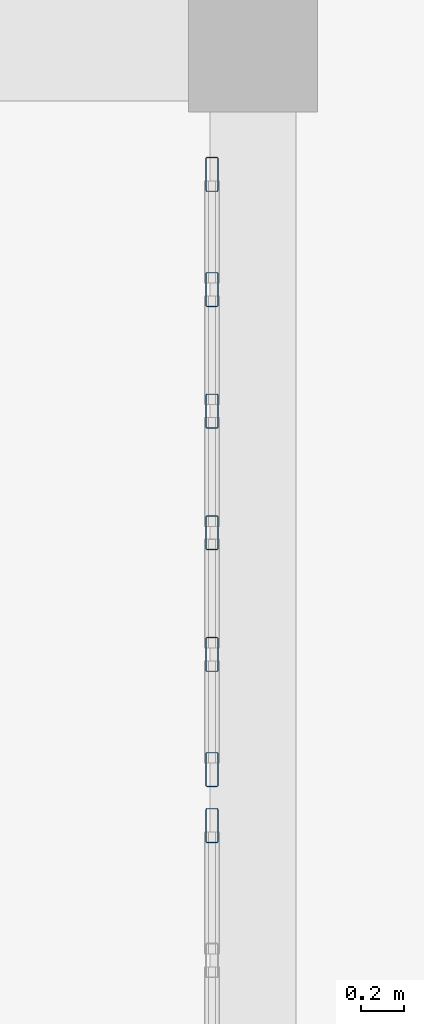
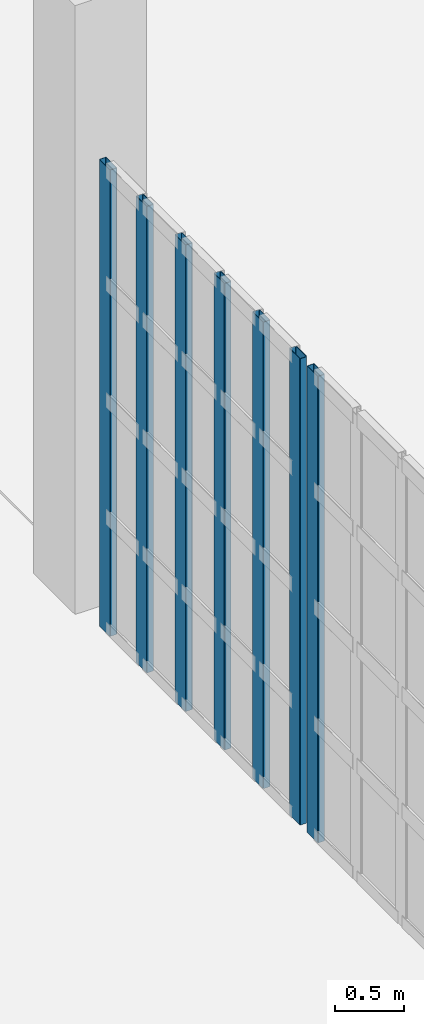
# One storey, part 88 of 372: 7 members, 2 elements without a shape of their own.
"""IFC4 building model written with IfcOpenShell, lengths in metres."""

from ifc_helpers import new_model, si_unit, direction, frame, origin, origin_2d, place, context, subcontext, project, spatial, hollow_rectangle, extrude, material, material_profile, profile_set, type_object, element, aggregate, save


model = new_model("IFC4")

# Units and contexts
model_context = context("Model", 3, precision=1e-05, world=origin(), true_north=direction((0.0, 1.0)))
body_context = subcontext(model_context, "Body", "Model", "MODEL_VIEW")
ifc_project = project(units=[si_unit("LENGTHUNIT", "METRE"), si_unit("AREAUNIT", "SQUARE_METRE"), si_unit("VOLUMEUNIT", "CUBIC_METRE"), si_unit("PLANEANGLEUNIT", "RADIAN"), si_unit("MASSUNIT", "GRAM", prefix="KILO")], contexts=[model_context])

# Site, building, storey
site_placement = place(None, origin())
site = spatial("IfcSite", under=ifc_project, at=site_placement, CompositionType="ELEMENT")
building_placement = place(site_placement, origin())
building = spatial("IfcBuilding", under=site, at=building_placement, Name="Kaelora Sail Theatre", CompositionType="ELEMENT")
storey_placement = place(building_placement, origin())
storey = spatial("IfcBuildingStorey", under=building, at=storey_placement, Name="L00", CompositionType="ELEMENT", Elevation=0.0)

# Curtain wall, member
ifc_material_1 = material(Name="Anodised aluminium and solar-control low-E IGU", Category="aluminium")
curtain_wall_type = type_object("IfcCurtainWallType", Name="ARC-CW-CW-FOY2", PredefinedType="NOTDEFINED", material=ifc_material_1)
curtain_wall_1_placement = place(storey_placement, origin())
curtain_wall_1 = element("IfcCurtainWall", 1, at=curtain_wall_1_placement, inside=storey, type_object=curtain_wall_type, Name="Glazed Colonnade/Courtyard Curtain Wall COLW-E-L00-05", PredefinedType="NOTDEFINED")
ifc_material_2 = material(Name="Anodised aluminium 6063-T6", Category="aluminium")
ifc_material_profile = material_profile(ifc_material_2, hollow_rectangle(XDim=0.06005859375, YDim=0.159912109375, WallThickness=0.00390625, InnerFilletRadius=0.00390625, OuterFilletRadius=0.008056640625, at=origin_2d()), Name="ALU-MULL 60x160x4")
ifc_profile_set = profile_set([ifc_material_profile], Name="Anodised aluminium 6063-T6")
member_type = type_object("IfcMemberType", Name="ARC-MEM-ML-160", PredefinedType="MULLION", material=ifc_profile_set)
member_1_placement = place(storey_placement, frame((17.510009765625, 49.969970703125, 0.0), z_axis=(0.0, 0.0, 1.0), x_axis=(-1.0, 0.0, 0.0)))
member_1 = element("IfcMember", 2, at=member_1_placement, type_object=member_type, Name="CW-FOY2 mullion 6", PredefinedType="MULLION", context=body_context, shape_type="SweptSolid", body=[
    extrude(hollow_rectangle(XDim=0.06005859375, YDim=0.159912109375, WallThickness=0.00390625, InnerFilletRadius=0.00390625, OuterFilletRadius=0.008056640625, at=origin_2d()), origin(), (0.0, 0.0, 1.0), 4.136962890625),
])
aggregate(curtain_wall_1, [member_1])

# Curtain wall, members
curtain_wall_2_placement = place(storey_placement, origin())
curtain_wall_2 = element("IfcCurtainWall", 3, at=curtain_wall_2_placement, inside=storey, type_object=curtain_wall_type, Name="Glazed Colonnade/Courtyard Curtain Wall COLW-E-L00-06", PredefinedType="NOTDEFINED")
member_2_placement = place(storey_placement, frame((17.510009765625, 50.22998046875, 0.0), z_axis=(0.0, 0.0, 1.0), x_axis=(-1.0, 0.0, 0.0)))
member_2 = element("IfcMember", 4, at=member_2_placement, type_object=member_type, Name="CW-FOY2 mullion 1", PredefinedType="MULLION", context=body_context, shape_type="SweptSolid", body=[
    extrude(hollow_rectangle(XDim=0.06005859375, YDim=0.159912109375, WallThickness=0.00390625, InnerFilletRadius=0.00390625, OuterFilletRadius=0.008056640625, at=origin_2d()), origin(), (0.0, 0.0, 1.0), 4.136962890625),
])
member_3_placement = place(storey_placement, frame((17.510009765625, 50.763916015625, 0.0), z_axis=(0.0, 0.0, 1.0), x_axis=(-1.0, 0.0, 0.0)))
member_3 = element("IfcMember", 5, at=member_3_placement, type_object=member_type, Name="CW-FOY2 mullion 2", PredefinedType="MULLION", context=body_context, shape_type="SweptSolid", body=[
    extrude(hollow_rectangle(XDim=0.06005859375, YDim=0.159912109375, WallThickness=0.00390625, InnerFilletRadius=0.00390625, OuterFilletRadius=0.008056640625, at=origin_2d()), origin(), (0.0, 0.0, 1.0), 4.136962890625),
])
member_4_placement = place(storey_placement, frame((17.510009765625, 51.327880859375, 0.0), z_axis=(0.0, 0.0, 1.0), x_axis=(-1.0, 0.0, 0.0)))
member_4 = element("IfcMember", 6, at=member_4_placement, type_object=member_type, Name="CW-FOY2 mullion 3", PredefinedType="MULLION", context=body_context, shape_type="SweptSolid", body=[
    extrude(hollow_rectangle(XDim=0.06005859375, YDim=0.159912109375, WallThickness=0.00390625, InnerFilletRadius=0.00390625, OuterFilletRadius=0.008056640625, at=origin_2d()), origin(), (0.0, 0.0, 1.0), 4.136962890625),
])
member_5_placement = place(storey_placement, frame((17.510009765625, 51.89208984375, 0.0), z_axis=(0.0, 0.0, 1.0), x_axis=(-1.0, 0.0, 0.0)))
member_5 = element("IfcMember", 7, at=member_5_placement, type_object=member_type, Name="CW-FOY2 mullion 4", PredefinedType="MULLION", context=body_context, shape_type="SweptSolid", body=[
    extrude(hollow_rectangle(XDim=0.06005859375, YDim=0.159912109375, WallThickness=0.00390625, InnerFilletRadius=0.00390625, OuterFilletRadius=0.008056640625, at=origin_2d()), origin(), (0.0, 0.0, 1.0), 4.136962890625),
])
member_6_placement = place(storey_placement, frame((17.510009765625, 52.4560546875, 0.0), z_axis=(0.0, 0.0, 1.0), x_axis=(-1.0, 0.0, 0.0)))
member_6 = element("IfcMember", 8, at=member_6_placement, type_object=member_type, Name="CW-FOY2 mullion 5", PredefinedType="MULLION", context=body_context, shape_type="SweptSolid", body=[
    extrude(hollow_rectangle(XDim=0.06005859375, YDim=0.159912109375, WallThickness=0.00390625, InnerFilletRadius=0.00390625, OuterFilletRadius=0.008056640625, at=origin_2d()), origin(), (0.0, 0.0, 1.0), 4.136962890625),
])
member_7_placement = place(storey_placement, frame((17.510009765625, 52.989990234375, 0.0), z_axis=(0.0, 0.0, 1.0), x_axis=(-1.0, 0.0, 0.0)))
member_7 = element("IfcMember", 9, at=member_7_placement, type_object=member_type, Name="CW-FOY2 mullion 6", PredefinedType="MULLION", context=body_context, shape_type="SweptSolid", body=[
    extrude(hollow_rectangle(XDim=0.06005859375, YDim=0.159912109375, WallThickness=0.00390625, InnerFilletRadius=0.00390625, OuterFilletRadius=0.008056640625, at=origin_2d()), origin(), (0.0, 0.0, 1.0), 4.136962890625),
])
aggregate(curtain_wall_2, [member_2, member_3, member_4, member_5, member_6, member_7])

save(model, "model.ifc")
